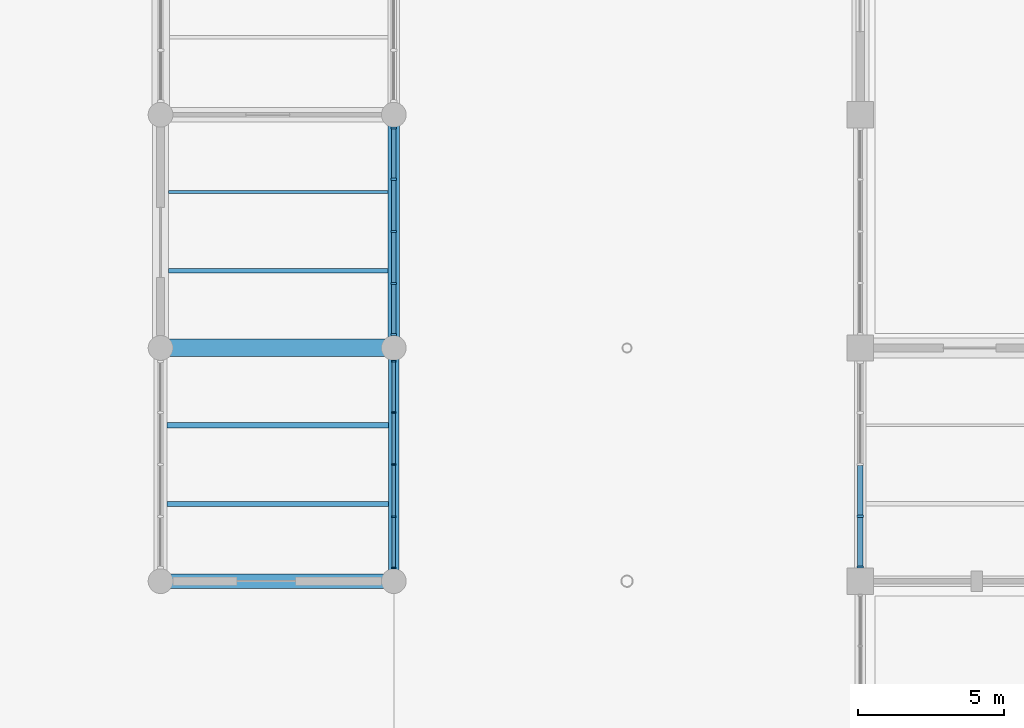
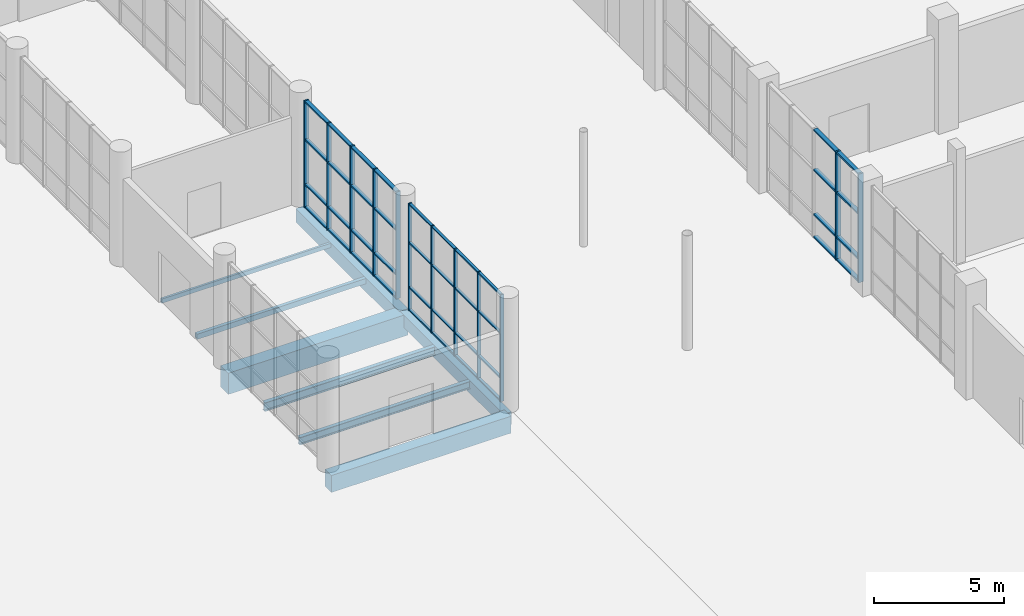
# One storey, part 31 of 123: 52 members, 8 beams, 3 elements without a shape of their own.
"""IFC4 building model written with IfcOpenShell, lengths in metres."""

from ifc_helpers import new_model, si_unit, direction, frame, origin, origin_2d, place, context, subcontext, project, spatial, rectangle, hollow_rectangle, i_section, extrude, material, material_profile, profile_set, type_object, element, aggregate, save


model = new_model("IFC4")

# Units and contexts
model_context = context("Model", 3, precision=1e-05, world=origin(), true_north=direction((0.0, 1.0)))
body_context = subcontext(model_context, "Body", "Model", "MODEL_VIEW")
ifc_project = project(units=[si_unit("LENGTHUNIT", "METRE"), si_unit("AREAUNIT", "SQUARE_METRE"), si_unit("VOLUMEUNIT", "CUBIC_METRE"), si_unit("PLANEANGLEUNIT", "RADIAN"), si_unit("MASSUNIT", "GRAM", prefix="KILO")], contexts=[model_context])

# Site, building, storey
site_placement = place(None, origin())
site = spatial("IfcSite", under=ifc_project, at=site_placement, CompositionType="ELEMENT")
building_placement = place(site_placement, origin())
building = spatial("IfcBuilding", under=site, at=building_placement, Name="Tenunan Teduh Sports Hall", CompositionType="ELEMENT")
storey_placement = place(building_placement, origin())
storey = spatial("IfcBuildingStorey", under=building, at=storey_placement, Name="L00", CompositionType="ELEMENT", Elevation=0.0)

# Beams
ifc_material_1 = material(Name="Concrete C40/50", Category="concrete")
ifc_material_profile_1 = material_profile(ifc_material_1, rectangle(XDim=0.35009765625, YDim=0.60009765625, at=origin_2d()), Name="RCB 350x600")
ifc_profile_set_1 = profile_set([ifc_material_profile_1], Name="Concrete C40/50")
beam_type_1 = type_object("IfcBeamType", Name="BM-RC-350x600", PredefinedType="BEAM", material=ifc_profile_set_1)
beam_1_placement = place(storey_placement, frame((106.0, 38.0, -0.580078125), z_axis=(0.0, 1.0, 0.0), x_axis=(-1.0, 0.0, 0.0)))
element("IfcBeam", 1, at=beam_1_placement, inside=storey, type_object=beam_type_1, Name="BM-B-04-L00-0834", PredefinedType="BEAM", context=body_context, shape_type="SweptSolid", body=[
    extrude(rectangle(XDim=0.35009765625, YDim=0.60009765625, at=origin_2d()), origin(), (0.0, 0.0, 1.0), 8.0),
])
ifc_material_2 = material(Name="Concrete C40/50", Category="concrete")
ifc_material_profile_2 = material_profile(ifc_material_2, rectangle(XDim=0.39990234375, YDim=0.64990234375, at=origin_2d()), Name="RCB 400x650")
ifc_profile_set_2 = profile_set([ifc_material_profile_2], Name="Concrete C40/50")
beam_type_2 = type_object("IfcBeamType", Name="BM-RC-400x650", PredefinedType="BEAM", material=ifc_profile_set_2)
beam_2_placement = place(storey_placement, frame((106.0, 46.0, -0.60498046875), z_axis=(0.0, 1.0, 0.0), x_axis=(-1.0, 0.0, 0.0)))
element("IfcBeam", 2, at=beam_2_placement, inside=storey, type_object=beam_type_2, Name="BM-B-07-L00-0835", PredefinedType="BEAM", context=body_context, shape_type="SweptSolid", body=[
    extrude(rectangle(XDim=0.39990234375, YDim=0.64990234375, at=origin_2d()), origin(), (0.0, 0.0, 1.0), 8.0),
])
ifc_material_3 = material(Name="Concrete C40/50", Category="concrete")
ifc_material_profile_3 = material_profile(ifc_material_3, rectangle(XDim=0.5, YDim=0.800048828125, at=origin_2d()), Name="RCB 500x800")
ifc_profile_set_3 = profile_set([ifc_material_profile_3], Name="Concrete C40/50")
beam_type_3 = type_object("IfcBeamType", Name="BM-RC-500x800", PredefinedType="BEAM", material=ifc_profile_set_3)
beam_3_placement = place(storey_placement, frame((98.0, 38.0, -0.679931640625), z_axis=(1.0, 0.0, 0.0), x_axis=(0.0, 1.0, 0.0)))
element("IfcBeam", 3, at=beam_3_placement, inside=storey, type_object=beam_type_3, Name="BM-B-14-L00-0644", PredefinedType="BEAM", context=body_context, shape_type="SweptSolid", body=[
    extrude(rectangle(XDim=0.5, YDim=0.800048828125, at=origin_2d()), origin(), (0.0, 0.0, 1.0), 8.0),
])
ifc_material_4 = material(Name="Concrete C40/50", Category="concrete")
ifc_material_profile_4 = material_profile(ifc_material_4, rectangle(XDim=0.60009765625, YDim=1.0, at=origin_2d()), Name="RCB 600x1000")
ifc_profile_set_4 = profile_set([ifc_material_profile_4], Name="Concrete C40/50")
beam_type_4 = type_object("IfcBeamType", Name="BM-RC-600x1000", PredefinedType="BEAM", material=ifc_profile_set_4)
beam_4_placement = place(storey_placement, frame((98.0, 46.0, -0.780029296875), z_axis=(1.0, 0.0, 0.0), x_axis=(0.0, 1.0, 0.0)))
element("IfcBeam", 4, at=beam_4_placement, inside=storey, type_object=beam_type_4, Name="BM-B-18-L00-0658", PredefinedType="BEAM", context=body_context, shape_type="SweptSolid", body=[
    extrude(rectangle(XDim=0.60009765625, YDim=1.0, at=origin_2d()), origin(), (0.0, 0.0, 1.0), 8.0),
])

# Curtain wall, members
ifc_material_5 = material(Name="Anodised aluminium", Category="aluminium")
curtain_wall_type = type_object("IfcCurtainWallType", Name="CW-UNIT-1", PredefinedType="NOTDEFINED", material=ifc_material_5)
curtain_wall_1_placement = place(storey_placement, origin())
curtain_wall_1 = element("IfcCurtainWall", 5, at=curtain_wall_1_placement, inside=storey, type_object=curtain_wall_type, Name="CW-CWM-150-L00-159", PredefinedType="NOTDEFINED")
ifc_material_6 = material(Name="Anodised aluminium", Category="aluminium")
ifc_material_profile_5 = material_profile(ifc_material_6, rectangle(XDim=0.06005859375, YDim=0.14990234375, at=origin_2d()), Name="CWM 60x150")
ifc_profile_set_5 = profile_set([ifc_material_profile_5], Name="Anodised aluminium")
member_type_1 = type_object("IfcMemberType", Name="CWM-150", PredefinedType="MULLION", material=ifc_profile_set_5)
member_1_placement = place(storey_placement, frame((106.0, 38.455078125, 0.0), z_axis=(0.0, 0.0, 1.0), x_axis=(0.0, 1.0, 0.0)))
member_1 = element("IfcMember", 6, at=member_1_placement, type_object=member_type_1, Name="CW-01 mullion 1", PredefinedType="MULLION", context=body_context, shape_type="SweptSolid", body=[
    extrude(rectangle(XDim=0.06005859375, YDim=0.14990234375, at=origin_2d()), origin(), (0.0, 0.0, 1.0), 5.0400390625),
])
member_2_placement = place(storey_placement, frame((106.0, 40.21240234375, 0.0), z_axis=(0.0, 0.0, 1.0), x_axis=(0.0, 1.0, 0.0)))
member_2 = element("IfcMember", 7, at=member_2_placement, type_object=member_type_1, Name="CW-01 mullion 2", PredefinedType="MULLION", context=body_context, shape_type="SweptSolid", body=[
    extrude(rectangle(XDim=0.06005859375, YDim=0.14990234375, at=origin_2d()), origin(), (0.0, 0.0, 1.0), 5.0400390625),
])
member_3_placement = place(storey_placement, frame((106.0, 42.0, 0.0), z_axis=(0.0, 0.0, 1.0), x_axis=(0.0, 1.0, 0.0)))
member_3 = element("IfcMember", 8, at=member_3_placement, type_object=member_type_1, Name="CW-01 mullion 3", PredefinedType="MULLION", context=body_context, shape_type="SweptSolid", body=[
    extrude(rectangle(XDim=0.06005859375, YDim=0.14990234375, at=origin_2d()), origin(), (0.0, 0.0, 1.0), 5.0400390625),
])
member_4_placement = place(storey_placement, frame((106.0, 43.78759765625, 0.0), z_axis=(0.0, 0.0, 1.0), x_axis=(0.0, 1.0, 0.0)))
member_4 = element("IfcMember", 9, at=member_4_placement, type_object=member_type_1, Name="CW-01 mullion 4", PredefinedType="MULLION", context=body_context, shape_type="SweptSolid", body=[
    extrude(rectangle(XDim=0.06005859375, YDim=0.14990234375, at=origin_2d()), origin(), (0.0, 0.0, 1.0), 5.0400390625),
])
member_5_placement = place(storey_placement, frame((106.0, 45.544921875, 0.0), z_axis=(0.0, 0.0, 1.0), x_axis=(0.0, 1.0, 0.0)))
member_5 = element("IfcMember", 10, at=member_5_placement, type_object=member_type_1, Name="CW-01 mullion 5", PredefinedType="MULLION", context=body_context, shape_type="SweptSolid", body=[
    extrude(rectangle(XDim=0.06005859375, YDim=0.14990234375, at=origin_2d()), origin(), (0.0, 0.0, 1.0), 5.0400390625),
])

curtain_wall_2_placement = place(storey_placement, origin())
curtain_wall_2 = element("IfcCurtainWall", 11, at=curtain_wall_2_placement, inside=storey, type_object=curtain_wall_type, Name="CW-CWM-200-L00-160", PredefinedType="NOTDEFINED")
ifc_material_7 = material(Name="Anodised aluminium", Category="aluminium")
ifc_material_profile_6 = material_profile(ifc_material_7, rectangle(XDim=0.070068359375, YDim=0.199951171875, at=origin_2d()), Name="CWM 70x200")
ifc_profile_set_6 = profile_set([ifc_material_profile_6], Name="Anodised aluminium")
member_type_2 = type_object("IfcMemberType", Name="CWM-200", PredefinedType="MULLION", material=ifc_profile_set_6)
member_6_placement = place(storey_placement, frame((106.0, 46.4599609375, 0.0), z_axis=(0.0, 0.0, 1.0), x_axis=(0.0, 1.0, 0.0)))
member_6 = element("IfcMember", 12, at=member_6_placement, type_object=member_type_2, Name="CW-01 mullion 1", PredefinedType="MULLION", context=body_context, shape_type="SweptSolid", body=[
    extrude(rectangle(XDim=0.070068359375, YDim=0.199951171875, at=origin_2d()), origin(), (0.0, 0.0, 1.0), 5.0400390625),
])
member_7_placement = place(storey_placement, frame((106.0, 48.21240234375, 0.0), z_axis=(0.0, 0.0, 1.0), x_axis=(0.0, 1.0, 0.0)))
member_7 = element("IfcMember", 13, at=member_7_placement, type_object=member_type_2, Name="CW-01 mullion 2", PredefinedType="MULLION", context=body_context, shape_type="SweptSolid", body=[
    extrude(rectangle(XDim=0.070068359375, YDim=0.199951171875, at=origin_2d()), origin(), (0.0, 0.0, 1.0), 5.0400390625),
])
member_8_placement = place(storey_placement, frame((106.0, 50.0, 0.0), z_axis=(0.0, 0.0, 1.0), x_axis=(0.0, 1.0, 0.0)))
member_8 = element("IfcMember", 14, at=member_8_placement, type_object=member_type_2, Name="CW-01 mullion 3", PredefinedType="MULLION", context=body_context, shape_type="SweptSolid", body=[
    extrude(rectangle(XDim=0.070068359375, YDim=0.199951171875, at=origin_2d()), origin(), (0.0, 0.0, 1.0), 5.0400390625),
])
member_9_placement = place(storey_placement, frame((106.0, 51.78759765625, 0.0), z_axis=(0.0, 0.0, 1.0), x_axis=(0.0, 1.0, 0.0)))
member_9 = element("IfcMember", 15, at=member_9_placement, type_object=member_type_2, Name="CW-01 mullion 4", PredefinedType="MULLION", context=body_context, shape_type="SweptSolid", body=[
    extrude(rectangle(XDim=0.070068359375, YDim=0.199951171875, at=origin_2d()), origin(), (0.0, 0.0, 1.0), 5.0400390625),
])
member_10_placement = place(storey_placement, frame((106.0, 53.5400390625, 0.0), z_axis=(0.0, 0.0, 1.0), x_axis=(0.0, 1.0, 0.0)))
member_10 = element("IfcMember", 16, at=member_10_placement, type_object=member_type_2, Name="CW-01 mullion 5", PredefinedType="MULLION", context=body_context, shape_type="SweptSolid", body=[
    extrude(rectangle(XDim=0.070068359375, YDim=0.199951171875, at=origin_2d()), origin(), (0.0, 0.0, 1.0), 5.0400390625),
])

curtain_wall_3_placement = place(storey_placement, origin())
curtain_wall_3 = element("IfcCurtainWall", 17, at=curtain_wall_3_placement, inside=storey, type_object=curtain_wall_type, Name="CW-CWM-220-L00-005", PredefinedType="NOTDEFINED")
ifc_material_8 = material(Name="Anodised aluminium", Category="aluminium")
ifc_material_profile_7 = material_profile(ifc_material_8, rectangle(XDim=0.074951171875, YDim=0.219970703125, at=origin_2d()), Name="CWM 75x220")
ifc_profile_set_7 = profile_set([ifc_material_profile_7], Name="Anodised aluminium")
member_type_3 = type_object("IfcMemberType", Name="CWM-220", PredefinedType="MULLION", material=ifc_profile_set_7)
member_11_placement = place(storey_placement, frame((122.0, 38.487548828125, 0.0), z_axis=(0.0, 0.0, 1.0), x_axis=(0.0, 1.0, 0.0)))
member_11 = element("IfcMember", 18, at=member_11_placement, type_object=member_type_3, Name="CW-01 mullion 1", PredefinedType="MULLION", context=body_context, shape_type="SweptSolid", body=[
    extrude(rectangle(XDim=0.074951171875, YDim=0.219970703125, at=origin_2d()), origin(), (0.0, 0.0, 1.0), 5.1201171875),
])
member_12_placement = place(storey_placement, frame((122.0, 40.22509765625, 0.0), z_axis=(0.0, 0.0, 1.0), x_axis=(0.0, 1.0, 0.0)))
member_12 = element("IfcMember", 19, at=member_12_placement, type_object=member_type_3, Name="CW-01 mullion 2", PredefinedType="MULLION", context=body_context, shape_type="SweptSolid", body=[
    extrude(rectangle(XDim=0.074951171875, YDim=0.219970703125, at=origin_2d()), origin(), (0.0, 0.0, 1.0), 5.1201171875),
])

# Member
ifc_material_9 = material(Name="Anodised aluminium", Category="aluminium")
ifc_material_profile_8 = material_profile(ifc_material_9, rectangle(XDim=0.06005859375, YDim=0.1201171875, at=origin_2d()), Name="CWT 60x120")
ifc_profile_set_8 = profile_set([ifc_material_profile_8], Name="Anodised aluminium")
member_type_4 = type_object("IfcMemberType", Name="CWT-125", PredefinedType="USERDEFINED", material=ifc_profile_set_8)
member_13_placement = place(storey_placement, frame((106.0, 38.485107421875, 0.030029296875), z_axis=(0.0, 1.0, 0.0), x_axis=(0.0, 0.0, 1.0)))
member_13 = element("IfcMember", 20, at=member_13_placement, type_object=member_type_4, Name="CW-01 transom 1.1", ObjectType="TRANSOM", PredefinedType="USERDEFINED", context=body_context, shape_type="SweptSolid", body=[
    extrude(rectangle(XDim=0.06005859375, YDim=0.1201171875, at=origin_2d()), origin(), (0.0, 0.0, 1.0), 1.697509765625),
])

member_14_placement = place(storey_placement, frame((106.0, 38.485107421875, 1.10009765625), z_axis=(0.0, 1.0, 0.0), x_axis=(0.0, 0.0, 1.0)))
member_14 = element("IfcMember", 21, at=member_14_placement, type_object=member_type_4, Name="CW-01 transom 1.2", ObjectType="TRANSOM", PredefinedType="USERDEFINED", context=body_context, shape_type="SweptSolid", body=[
    extrude(rectangle(XDim=0.06005859375, YDim=0.1201171875, at=origin_2d()), origin(), (0.0, 0.0, 1.0), 1.697509765625),
])

member_15_placement = place(storey_placement, frame((106.0, 38.485107421875, 3.199951171875), z_axis=(0.0, 1.0, 0.0), x_axis=(0.0, 0.0, 1.0)))
member_15 = element("IfcMember", 22, at=member_15_placement, type_object=member_type_4, Name="CW-01 transom 1.3", ObjectType="TRANSOM", PredefinedType="USERDEFINED", context=body_context, shape_type="SweptSolid", body=[
    extrude(rectangle(XDim=0.06005859375, YDim=0.1201171875, at=origin_2d()), origin(), (0.0, 0.0, 1.0), 1.697509765625),
])

member_16_placement = place(storey_placement, frame((106.0, 38.485107421875, 5.010009765625), z_axis=(0.0, 1.0, 0.0), x_axis=(0.0, 0.0, 1.0)))
member_16 = element("IfcMember", 23, at=member_16_placement, type_object=member_type_4, Name="CW-01 transom 1.4", ObjectType="TRANSOM", PredefinedType="USERDEFINED", context=body_context, shape_type="SweptSolid", body=[
    extrude(rectangle(XDim=0.06005859375, YDim=0.1201171875, at=origin_2d()), origin(), (0.0, 0.0, 1.0), 1.697509765625),
])

member_17_placement = place(storey_placement, frame((106.0, 40.242431640625, 0.030029296875), z_axis=(0.0, 1.0, 0.0), x_axis=(0.0, 0.0, 1.0)))
member_17 = element("IfcMember", 24, at=member_17_placement, type_object=member_type_4, Name="CW-01 transom 2.1", ObjectType="TRANSOM", PredefinedType="USERDEFINED", context=body_context, shape_type="SweptSolid", body=[
    extrude(rectangle(XDim=0.06005859375, YDim=0.1201171875, at=origin_2d()), origin(), (0.0, 0.0, 1.0), 1.7275390625),
])

member_18_placement = place(storey_placement, frame((106.0, 40.242431640625, 1.10009765625), z_axis=(0.0, 1.0, 0.0), x_axis=(0.0, 0.0, 1.0)))
member_18 = element("IfcMember", 25, at=member_18_placement, type_object=member_type_4, Name="CW-01 transom 2.2", ObjectType="TRANSOM", PredefinedType="USERDEFINED", context=body_context, shape_type="SweptSolid", body=[
    extrude(rectangle(XDim=0.06005859375, YDim=0.1201171875, at=origin_2d()), origin(), (0.0, 0.0, 1.0), 1.7275390625),
])

member_19_placement = place(storey_placement, frame((106.0, 40.242431640625, 3.199951171875), z_axis=(0.0, 1.0, 0.0), x_axis=(0.0, 0.0, 1.0)))
member_19 = element("IfcMember", 26, at=member_19_placement, type_object=member_type_4, Name="CW-01 transom 2.3", ObjectType="TRANSOM", PredefinedType="USERDEFINED", context=body_context, shape_type="SweptSolid", body=[
    extrude(rectangle(XDim=0.06005859375, YDim=0.1201171875, at=origin_2d()), origin(), (0.0, 0.0, 1.0), 1.7275390625),
])

member_20_placement = place(storey_placement, frame((106.0, 40.242431640625, 5.010009765625), z_axis=(0.0, 1.0, 0.0), x_axis=(0.0, 0.0, 1.0)))
member_20 = element("IfcMember", 27, at=member_20_placement, type_object=member_type_4, Name="CW-01 transom 2.4", ObjectType="TRANSOM", PredefinedType="USERDEFINED", context=body_context, shape_type="SweptSolid", body=[
    extrude(rectangle(XDim=0.06005859375, YDim=0.1201171875, at=origin_2d()), origin(), (0.0, 0.0, 1.0), 1.7275390625),
])

member_21_placement = place(storey_placement, frame((106.0, 42.030029296875, 0.030029296875), z_axis=(0.0, 1.0, 0.0), x_axis=(0.0, 0.0, 1.0)))
member_21 = element("IfcMember", 28, at=member_21_placement, type_object=member_type_4, Name="CW-01 transom 3.1", ObjectType="TRANSOM", PredefinedType="USERDEFINED", context=body_context, shape_type="SweptSolid", body=[
    extrude(rectangle(XDim=0.06005859375, YDim=0.1201171875, at=origin_2d()), origin(), (0.0, 0.0, 1.0), 1.7275390625),
])

member_22_placement = place(storey_placement, frame((106.0, 42.030029296875, 1.10009765625), z_axis=(0.0, 1.0, 0.0), x_axis=(0.0, 0.0, 1.0)))
member_22 = element("IfcMember", 29, at=member_22_placement, type_object=member_type_4, Name="CW-01 transom 3.2", ObjectType="TRANSOM", PredefinedType="USERDEFINED", context=body_context, shape_type="SweptSolid", body=[
    extrude(rectangle(XDim=0.06005859375, YDim=0.1201171875, at=origin_2d()), origin(), (0.0, 0.0, 1.0), 1.7275390625),
])

member_23_placement = place(storey_placement, frame((106.0, 42.030029296875, 3.199951171875), z_axis=(0.0, 1.0, 0.0), x_axis=(0.0, 0.0, 1.0)))
member_23 = element("IfcMember", 30, at=member_23_placement, type_object=member_type_4, Name="CW-01 transom 3.3", ObjectType="TRANSOM", PredefinedType="USERDEFINED", context=body_context, shape_type="SweptSolid", body=[
    extrude(rectangle(XDim=0.06005859375, YDim=0.1201171875, at=origin_2d()), origin(), (0.0, 0.0, 1.0), 1.7275390625),
])

member_24_placement = place(storey_placement, frame((106.0, 42.030029296875, 5.010009765625), z_axis=(0.0, 1.0, 0.0), x_axis=(0.0, 0.0, 1.0)))
member_24 = element("IfcMember", 31, at=member_24_placement, type_object=member_type_4, Name="CW-01 transom 3.4", ObjectType="TRANSOM", PredefinedType="USERDEFINED", context=body_context, shape_type="SweptSolid", body=[
    extrude(rectangle(XDim=0.06005859375, YDim=0.1201171875, at=origin_2d()), origin(), (0.0, 0.0, 1.0), 1.7275390625),
])

member_25_placement = place(storey_placement, frame((106.0, 43.8173828125, 0.030029296875), z_axis=(0.0, 1.0, 0.0), x_axis=(0.0, 0.0, 1.0)))
member_25 = element("IfcMember", 32, at=member_25_placement, type_object=member_type_4, Name="CW-01 transom 4.1", ObjectType="TRANSOM", PredefinedType="USERDEFINED", context=body_context, shape_type="SweptSolid", body=[
    extrude(rectangle(XDim=0.06005859375, YDim=0.1201171875, at=origin_2d()), origin(), (0.0, 0.0, 1.0), 1.697509765625),
])

member_26_placement = place(storey_placement, frame((106.0, 43.8173828125, 1.10009765625), z_axis=(0.0, 1.0, 0.0), x_axis=(0.0, 0.0, 1.0)))
member_26 = element("IfcMember", 33, at=member_26_placement, type_object=member_type_4, Name="CW-01 transom 4.2", ObjectType="TRANSOM", PredefinedType="USERDEFINED", context=body_context, shape_type="SweptSolid", body=[
    extrude(rectangle(XDim=0.06005859375, YDim=0.1201171875, at=origin_2d()), origin(), (0.0, 0.0, 1.0), 1.697509765625),
])

member_27_placement = place(storey_placement, frame((106.0, 43.8173828125, 3.199951171875), z_axis=(0.0, 1.0, 0.0), x_axis=(0.0, 0.0, 1.0)))
member_27 = element("IfcMember", 34, at=member_27_placement, type_object=member_type_4, Name="CW-01 transom 4.3", ObjectType="TRANSOM", PredefinedType="USERDEFINED", context=body_context, shape_type="SweptSolid", body=[
    extrude(rectangle(XDim=0.06005859375, YDim=0.1201171875, at=origin_2d()), origin(), (0.0, 0.0, 1.0), 1.697509765625),
])

member_28_placement = place(storey_placement, frame((106.0, 43.8173828125, 5.010009765625), z_axis=(0.0, 1.0, 0.0), x_axis=(0.0, 0.0, 1.0)))
member_28 = element("IfcMember", 35, at=member_28_placement, type_object=member_type_4, Name="CW-01 transom 4.4", ObjectType="TRANSOM", PredefinedType="USERDEFINED", context=body_context, shape_type="SweptSolid", body=[
    extrude(rectangle(XDim=0.06005859375, YDim=0.1201171875, at=origin_2d()), origin(), (0.0, 0.0, 1.0), 1.697509765625),
])

aggregate(curtain_wall_1, [member_1, member_2, member_3, member_4, member_5, member_13, member_14, member_15, member_16, member_17, member_18, member_19, member_20, member_21, member_22, member_23, member_24, member_25, member_26, member_27, member_28])

ifc_material_10 = material(Name="Anodised aluminium", Category="aluminium")
ifc_material_profile_9 = material_profile(ifc_material_10, rectangle(XDim=0.074951171875, YDim=0.179931640625, at=origin_2d()), Name="CWT 75x180")
ifc_profile_set_9 = profile_set([ifc_material_profile_9], Name="Anodised aluminium")
member_type_5 = type_object("IfcMemberType", Name="CWT-180", PredefinedType="USERDEFINED", material=ifc_profile_set_9)
member_29_placement = place(storey_placement, frame((122.0, 38.52490234375, 0.03759765625), z_axis=(0.0, 1.0, 0.0), x_axis=(0.0, 0.0, 1.0)))
member_29 = element("IfcMember", 36, at=member_29_placement, type_object=member_type_5, Name="CW-01 transom 1.1", ObjectType="TRANSOM", PredefinedType="USERDEFINED", context=body_context, shape_type="SweptSolid", body=[
    extrude(rectangle(XDim=0.074951171875, YDim=0.179931640625, at=origin_2d()), origin(), (0.0, 0.0, 1.0), 1.66259765625),
])

member_30_placement = place(storey_placement, frame((122.0, 38.52490234375, 1.10009765625), z_axis=(0.0, 1.0, 0.0), x_axis=(0.0, 0.0, 1.0)))
member_30 = element("IfcMember", 37, at=member_30_placement, type_object=member_type_5, Name="CW-01 transom 1.2", ObjectType="TRANSOM", PredefinedType="USERDEFINED", context=body_context, shape_type="SweptSolid", body=[
    extrude(rectangle(XDim=0.074951171875, YDim=0.179931640625, at=origin_2d()), origin(), (0.0, 0.0, 1.0), 1.66259765625),
])

member_31_placement = place(storey_placement, frame((122.0, 38.52490234375, 3.199951171875), z_axis=(0.0, 1.0, 0.0), x_axis=(0.0, 0.0, 1.0)))
member_31 = element("IfcMember", 38, at=member_31_placement, type_object=member_type_5, Name="CW-01 transom 1.3", ObjectType="TRANSOM", PredefinedType="USERDEFINED", context=body_context, shape_type="SweptSolid", body=[
    extrude(rectangle(XDim=0.074951171875, YDim=0.179931640625, at=origin_2d()), origin(), (0.0, 0.0, 1.0), 1.66259765625),
])

member_32_placement = place(storey_placement, frame((122.0, 38.52490234375, 5.08251953125), z_axis=(0.0, 1.0, 0.0), x_axis=(0.0, 0.0, 1.0)))
member_32 = element("IfcMember", 39, at=member_32_placement, type_object=member_type_5, Name="CW-01 transom 1.4", ObjectType="TRANSOM", PredefinedType="USERDEFINED", context=body_context, shape_type="SweptSolid", body=[
    extrude(rectangle(XDim=0.074951171875, YDim=0.179931640625, at=origin_2d()), origin(), (0.0, 0.0, 1.0), 1.66259765625),
])

member_33_placement = place(storey_placement, frame((122.0, 40.262451171875, 0.03759765625), z_axis=(0.0, 1.0, 0.0), x_axis=(0.0, 0.0, 1.0)))
member_33 = element("IfcMember", 40, at=member_33_placement, type_object=member_type_5, Name="CW-01 transom 2.1", ObjectType="TRANSOM", PredefinedType="USERDEFINED", context=body_context, shape_type="SweptSolid", body=[
    extrude(rectangle(XDim=0.074951171875, YDim=0.179931640625, at=origin_2d()), origin(), (0.0, 0.0, 1.0), 1.699951171875),
])

member_34_placement = place(storey_placement, frame((122.0, 40.262451171875, 1.10009765625), z_axis=(0.0, 1.0, 0.0), x_axis=(0.0, 0.0, 1.0)))
member_34 = element("IfcMember", 41, at=member_34_placement, type_object=member_type_5, Name="CW-01 transom 2.2", ObjectType="TRANSOM", PredefinedType="USERDEFINED", context=body_context, shape_type="SweptSolid", body=[
    extrude(rectangle(XDim=0.074951171875, YDim=0.179931640625, at=origin_2d()), origin(), (0.0, 0.0, 1.0), 1.699951171875),
])

member_35_placement = place(storey_placement, frame((122.0, 40.262451171875, 3.199951171875), z_axis=(0.0, 1.0, 0.0), x_axis=(0.0, 0.0, 1.0)))
member_35 = element("IfcMember", 42, at=member_35_placement, type_object=member_type_5, Name="CW-01 transom 2.3", ObjectType="TRANSOM", PredefinedType="USERDEFINED", context=body_context, shape_type="SweptSolid", body=[
    extrude(rectangle(XDim=0.074951171875, YDim=0.179931640625, at=origin_2d()), origin(), (0.0, 0.0, 1.0), 1.699951171875),
])

member_36_placement = place(storey_placement, frame((122.0, 40.262451171875, 5.08251953125), z_axis=(0.0, 1.0, 0.0), x_axis=(0.0, 0.0, 1.0)))
member_36 = element("IfcMember", 43, at=member_36_placement, type_object=member_type_5, Name="CW-01 transom 2.4", ObjectType="TRANSOM", PredefinedType="USERDEFINED", context=body_context, shape_type="SweptSolid", body=[
    extrude(rectangle(XDim=0.074951171875, YDim=0.179931640625, at=origin_2d()), origin(), (0.0, 0.0, 1.0), 1.699951171875),
])

aggregate(curtain_wall_3, [member_11, member_12, member_29, member_30, member_31, member_32, member_33, member_34, member_35, member_36])

ifc_material_11 = material(Name="Anodised aluminium", Category="aluminium")
ifc_material_profile_10 = material_profile(ifc_material_11, rectangle(XDim=0.070068359375, YDim=0.159912109375, at=origin_2d()), Name="CWT 70x160")
ifc_profile_set_10 = profile_set([ifc_material_profile_10], Name="Anodised aluminium")
member_type_6 = type_object("IfcMemberType", Name="CWT-200", PredefinedType="USERDEFINED", material=ifc_profile_set_10)
member_37_placement = place(storey_placement, frame((106.0, 46.4951171875, 0.034912109375), z_axis=(0.0, 1.0, 0.0), x_axis=(0.0, 0.0, 1.0)))
member_37 = element("IfcMember", 44, at=member_37_placement, type_object=member_type_6, Name="CW-01 transom 1.1", ObjectType="TRANSOM", PredefinedType="USERDEFINED", context=body_context, shape_type="SweptSolid", body=[
    extrude(rectangle(XDim=0.070068359375, YDim=0.159912109375, at=origin_2d()), origin(), (0.0, 0.0, 1.0), 1.682373046875),
])

member_38_placement = place(storey_placement, frame((106.0, 46.4951171875, 1.10009765625), z_axis=(0.0, 1.0, 0.0), x_axis=(0.0, 0.0, 1.0)))
member_38 = element("IfcMember", 45, at=member_38_placement, type_object=member_type_6, Name="CW-01 transom 1.2", ObjectType="TRANSOM", PredefinedType="USERDEFINED", context=body_context, shape_type="SweptSolid", body=[
    extrude(rectangle(XDim=0.070068359375, YDim=0.159912109375, at=origin_2d()), origin(), (0.0, 0.0, 1.0), 1.682373046875),
])

member_39_placement = place(storey_placement, frame((106.0, 46.4951171875, 3.199951171875), z_axis=(0.0, 1.0, 0.0), x_axis=(0.0, 0.0, 1.0)))
member_39 = element("IfcMember", 46, at=member_39_placement, type_object=member_type_6, Name="CW-01 transom 1.3", ObjectType="TRANSOM", PredefinedType="USERDEFINED", context=body_context, shape_type="SweptSolid", body=[
    extrude(rectangle(XDim=0.070068359375, YDim=0.159912109375, at=origin_2d()), origin(), (0.0, 0.0, 1.0), 1.682373046875),
])

member_40_placement = place(storey_placement, frame((106.0, 46.4951171875, 5.0048828125), z_axis=(0.0, 1.0, 0.0), x_axis=(0.0, 0.0, 1.0)))
member_40 = element("IfcMember", 47, at=member_40_placement, type_object=member_type_6, Name="CW-01 transom 1.4", ObjectType="TRANSOM", PredefinedType="USERDEFINED", context=body_context, shape_type="SweptSolid", body=[
    extrude(rectangle(XDim=0.070068359375, YDim=0.159912109375, at=origin_2d()), origin(), (0.0, 0.0, 1.0), 1.682373046875),
])

member_41_placement = place(storey_placement, frame((106.0, 48.24755859375, 0.034912109375), z_axis=(0.0, 1.0, 0.0), x_axis=(0.0, 0.0, 1.0)))
member_41 = element("IfcMember", 48, at=member_41_placement, type_object=member_type_6, Name="CW-01 transom 2.1", ObjectType="TRANSOM", PredefinedType="USERDEFINED", context=body_context, shape_type="SweptSolid", body=[
    extrude(rectangle(XDim=0.070068359375, YDim=0.159912109375, at=origin_2d()), origin(), (0.0, 0.0, 1.0), 1.717529296875),
])

member_42_placement = place(storey_placement, frame((106.0, 48.24755859375, 1.10009765625), z_axis=(0.0, 1.0, 0.0), x_axis=(0.0, 0.0, 1.0)))
member_42 = element("IfcMember", 49, at=member_42_placement, type_object=member_type_6, Name="CW-01 transom 2.2", ObjectType="TRANSOM", PredefinedType="USERDEFINED", context=body_context, shape_type="SweptSolid", body=[
    extrude(rectangle(XDim=0.070068359375, YDim=0.159912109375, at=origin_2d()), origin(), (0.0, 0.0, 1.0), 1.717529296875),
])

member_43_placement = place(storey_placement, frame((106.0, 48.24755859375, 3.199951171875), z_axis=(0.0, 1.0, 0.0), x_axis=(0.0, 0.0, 1.0)))
member_43 = element("IfcMember", 50, at=member_43_placement, type_object=member_type_6, Name="CW-01 transom 2.3", ObjectType="TRANSOM", PredefinedType="USERDEFINED", context=body_context, shape_type="SweptSolid", body=[
    extrude(rectangle(XDim=0.070068359375, YDim=0.159912109375, at=origin_2d()), origin(), (0.0, 0.0, 1.0), 1.717529296875),
])

member_44_placement = place(storey_placement, frame((106.0, 48.24755859375, 5.0048828125), z_axis=(0.0, 1.0, 0.0), x_axis=(0.0, 0.0, 1.0)))
member_44 = element("IfcMember", 51, at=member_44_placement, type_object=member_type_6, Name="CW-01 transom 2.4", ObjectType="TRANSOM", PredefinedType="USERDEFINED", context=body_context, shape_type="SweptSolid", body=[
    extrude(rectangle(XDim=0.070068359375, YDim=0.159912109375, at=origin_2d()), origin(), (0.0, 0.0, 1.0), 1.717529296875),
])

member_45_placement = place(storey_placement, frame((106.0, 50.034912109375, 0.034912109375), z_axis=(0.0, 1.0, 0.0), x_axis=(0.0, 0.0, 1.0)))
member_45 = element("IfcMember", 52, at=member_45_placement, type_object=member_type_6, Name="CW-01 transom 3.1", ObjectType="TRANSOM", PredefinedType="USERDEFINED", context=body_context, shape_type="SweptSolid", body=[
    extrude(rectangle(XDim=0.070068359375, YDim=0.159912109375, at=origin_2d()), origin(), (0.0, 0.0, 1.0), 1.717529296875),
])

member_46_placement = place(storey_placement, frame((106.0, 50.034912109375, 1.10009765625), z_axis=(0.0, 1.0, 0.0), x_axis=(0.0, 0.0, 1.0)))
member_46 = element("IfcMember", 53, at=member_46_placement, type_object=member_type_6, Name="CW-01 transom 3.2", ObjectType="TRANSOM", PredefinedType="USERDEFINED", context=body_context, shape_type="SweptSolid", body=[
    extrude(rectangle(XDim=0.070068359375, YDim=0.159912109375, at=origin_2d()), origin(), (0.0, 0.0, 1.0), 1.717529296875),
])

member_47_placement = place(storey_placement, frame((106.0, 50.034912109375, 3.199951171875), z_axis=(0.0, 1.0, 0.0), x_axis=(0.0, 0.0, 1.0)))
member_47 = element("IfcMember", 54, at=member_47_placement, type_object=member_type_6, Name="CW-01 transom 3.3", ObjectType="TRANSOM", PredefinedType="USERDEFINED", context=body_context, shape_type="SweptSolid", body=[
    extrude(rectangle(XDim=0.070068359375, YDim=0.159912109375, at=origin_2d()), origin(), (0.0, 0.0, 1.0), 1.717529296875),
])

member_48_placement = place(storey_placement, frame((106.0, 50.034912109375, 5.0048828125), z_axis=(0.0, 1.0, 0.0), x_axis=(0.0, 0.0, 1.0)))
member_48 = element("IfcMember", 55, at=member_48_placement, type_object=member_type_6, Name="CW-01 transom 3.4", ObjectType="TRANSOM", PredefinedType="USERDEFINED", context=body_context, shape_type="SweptSolid", body=[
    extrude(rectangle(XDim=0.070068359375, YDim=0.159912109375, at=origin_2d()), origin(), (0.0, 0.0, 1.0), 1.717529296875),
])

member_49_placement = place(storey_placement, frame((106.0, 51.822509765625, 0.034912109375), z_axis=(0.0, 1.0, 0.0), x_axis=(0.0, 0.0, 1.0)))
member_49 = element("IfcMember", 56, at=member_49_placement, type_object=member_type_6, Name="CW-01 transom 4.1", ObjectType="TRANSOM", PredefinedType="USERDEFINED", context=body_context, shape_type="SweptSolid", body=[
    extrude(rectangle(XDim=0.070068359375, YDim=0.159912109375, at=origin_2d()), origin(), (0.0, 0.0, 1.0), 1.682373046875),
])

member_50_placement = place(storey_placement, frame((106.0, 51.822509765625, 1.10009765625), z_axis=(0.0, 1.0, 0.0), x_axis=(0.0, 0.0, 1.0)))
member_50 = element("IfcMember", 57, at=member_50_placement, type_object=member_type_6, Name="CW-01 transom 4.2", ObjectType="TRANSOM", PredefinedType="USERDEFINED", context=body_context, shape_type="SweptSolid", body=[
    extrude(rectangle(XDim=0.070068359375, YDim=0.159912109375, at=origin_2d()), origin(), (0.0, 0.0, 1.0), 1.682373046875),
])

member_51_placement = place(storey_placement, frame((106.0, 51.822509765625, 3.199951171875), z_axis=(0.0, 1.0, 0.0), x_axis=(0.0, 0.0, 1.0)))
member_51 = element("IfcMember", 58, at=member_51_placement, type_object=member_type_6, Name="CW-01 transom 4.3", ObjectType="TRANSOM", PredefinedType="USERDEFINED", context=body_context, shape_type="SweptSolid", body=[
    extrude(rectangle(XDim=0.070068359375, YDim=0.159912109375, at=origin_2d()), origin(), (0.0, 0.0, 1.0), 1.682373046875),
])

member_52_placement = place(storey_placement, frame((106.0, 51.822509765625, 5.0048828125), z_axis=(0.0, 1.0, 0.0), x_axis=(0.0, 0.0, 1.0)))
member_52 = element("IfcMember", 59, at=member_52_placement, type_object=member_type_6, Name="CW-01 transom 4.4", ObjectType="TRANSOM", PredefinedType="USERDEFINED", context=body_context, shape_type="SweptSolid", body=[
    extrude(rectangle(XDim=0.070068359375, YDim=0.159912109375, at=origin_2d()), origin(), (0.0, 0.0, 1.0), 1.682373046875),
])

aggregate(curtain_wall_2, [member_6, member_7, member_8, member_9, member_10, member_37, member_38, member_39, member_40, member_41, member_42, member_43, member_44, member_45, member_46, member_47, member_48, member_49, member_50, member_51, member_52])

# Beams
ifc_material_12 = material(Name="Steel S355", Category="steel")
ifc_material_profile_11 = material_profile(ifc_material_12, hollow_rectangle(XDim=0.10009765625, YDim=0.199951171875, WallThickness=0.008056640625, at=origin_2d()), Name="RHS 200x100x8.0")
ifc_profile_set_11 = profile_set([ifc_material_profile_11], Name="Steel S355")
beam_type_5 = type_object("IfcBeamType", Name="RBM-RHS200", PredefinedType="JOIST", material=ifc_profile_set_11)
beam_5_placement = place(storey_placement, frame((98.27490234375, 51.35009765625, -0.3798828125), z_axis=(1.0, 0.0, 0.0), x_axis=(0.0, 1.0, 0.0)))
element("IfcBeam", 60, at=beam_5_placement, inside=storey, type_object=beam_type_5, Name="Perimeter Ring Beam BM-RB-05-L00-0979", PredefinedType="JOIST", context=body_context, shape_type="SweptSolid", body=[
    extrude(hollow_rectangle(XDim=0.10009765625, YDim=0.199951171875, WallThickness=0.008056640625, at=origin_2d()), origin(), (0.0, 0.0, 1.0), 7.525146484375),
])
ifc_material_13 = material(Name="Steel S355", Category="steel")
ifc_material_profile_12 = material_profile(ifc_material_13, hollow_rectangle(XDim=0.14990234375, YDim=0.25, WallThickness=0.010009765625, at=origin_2d()), Name="RHS 250x150x10.0")
ifc_profile_set_12 = profile_set([ifc_material_profile_12], Name="Steel S355")
beam_type_6 = type_object("IfcBeamType", Name="RBM-RHS250", PredefinedType="BEAM", material=ifc_profile_set_12)
beam_6_placement = place(storey_placement, frame((98.27490234375, 48.64990234375, -0.405029296875), z_axis=(1.0, 0.0, 0.0), x_axis=(0.0, 1.0, 0.0)))
element("IfcBeam", 61, at=beam_6_placement, inside=storey, type_object=beam_type_6, Name="Perimeter Ring Beam BM-RB-04-L00-0978", PredefinedType="BEAM", context=body_context, shape_type="SweptSolid", body=[
    extrude(hollow_rectangle(XDim=0.14990234375, YDim=0.25, WallThickness=0.010009765625, at=origin_2d()), origin(), (0.0, 0.0, 1.0), 7.525146484375),
])
ifc_material_14 = material(Name="Steel S355", Category="steel")
ifc_material_profile_13 = material_profile(ifc_material_14, i_section(OverallWidth=0.17138671875, OverallDepth=0.35498046875, WebThickness=0.00732421875, FlangeThickness=0.011474609375, FilletRadius=0.01025390625, at=origin_2d()), Name="UKB 356x171x51")
ifc_profile_set_13 = profile_set([ifc_material_profile_13], Name="Steel S355")
beam_type_7 = type_object("IfcBeamType", Name="SBM-UKB356", PredefinedType="BEAM", material=ifc_profile_set_13)
beam_7_placement = place(storey_placement, frame((98.22509765625, 40.64990234375, -0.45751953125), z_axis=(1.0, 0.0, 0.0), x_axis=(0.0, 1.0, 0.0)))
element("IfcBeam", 62, at=beam_7_placement, inside=storey, type_object=beam_type_7, Name="BM-SB-02-L00-0976", PredefinedType="BEAM", context=body_context, shape_type="SweptSolid", body=[
    extrude(i_section(OverallWidth=0.17138671875, OverallDepth=0.35498046875, WebThickness=0.00732421875, FlangeThickness=0.011474609375, FilletRadius=0.01025390625, at=origin_2d()), origin(), (0.0, 0.0, 1.0), 7.599853515625),
])
ifc_material_15 = material(Name="Steel S355", Category="steel")
ifc_material_profile_14 = material_profile(ifc_material_15, i_section(OverallWidth=0.177978515625, OverallDepth=0.406494140625, WebThickness=0.0078125, FlangeThickness=0.0126953125, FilletRadius=0.01025390625, at=origin_2d()), Name="UKB 406x178x60")
ifc_profile_set_14 = profile_set([ifc_material_profile_14], Name="Steel S355")
beam_type_8 = type_object("IfcBeamType", Name="SBM-UKB406", PredefinedType="BEAM", material=ifc_profile_set_14)
beam_8_placement = place(storey_placement, frame((98.22509765625, 43.35009765625, -0.483154296875), z_axis=(1.0, 0.0, 0.0), x_axis=(0.0, 1.0, 0.0)))
element("IfcBeam", 63, at=beam_8_placement, inside=storey, type_object=beam_type_8, Name="BM-SB-03-L00-0977", PredefinedType="BEAM", context=body_context, shape_type="SweptSolid", body=[
    extrude(i_section(OverallWidth=0.177978515625, OverallDepth=0.406494140625, WebThickness=0.0078125, FlangeThickness=0.0126953125, FilletRadius=0.01025390625, at=origin_2d()), origin(), (0.0, 0.0, 1.0), 7.599853515625),
])

save(model, "model.ifc")
